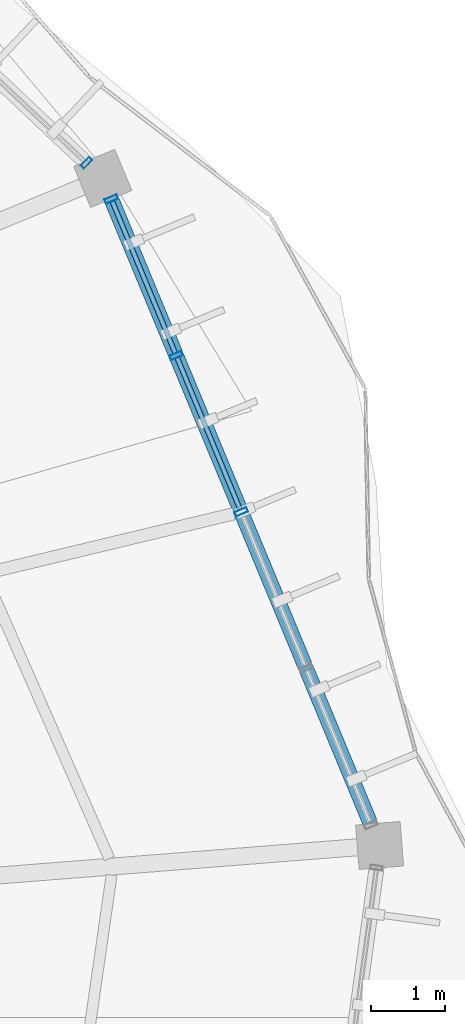
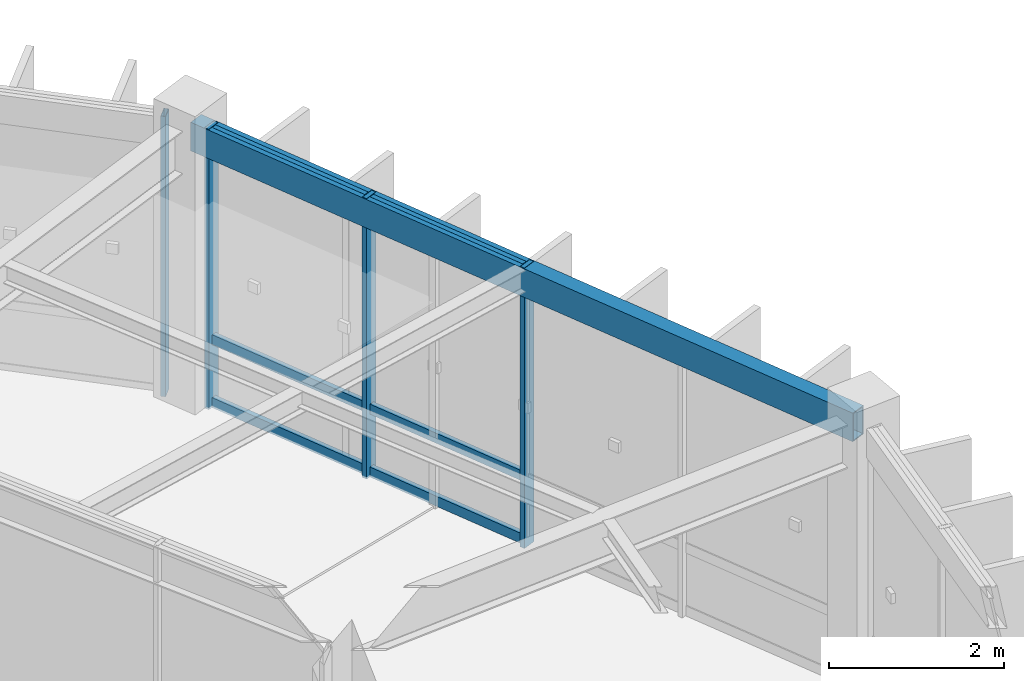
# One storey, part 60 of 83: 10 members, 1 beam, 2 elements without a shape of their own.
"""IFC4 building model written with IfcOpenShell, lengths in metres."""

from ifc_helpers import new_model, si_unit, direction, frame, origin, origin_2d, place, context, subcontext, project, spatial, hollow_rectangle, extrude, material, material_profile, profile_set, type_object, element, aggregate, save


model = new_model("IFC4")

# Units and contexts
model_context = context("Model", 3, precision=1e-05, world=origin(), true_north=direction((0.0, 1.0)))
body_context = subcontext(model_context, "Body", "Model", "MODEL_VIEW")
ifc_project = project(units=[si_unit("LENGTHUNIT", "METRE"), si_unit("AREAUNIT", "SQUARE_METRE"), si_unit("VOLUMEUNIT", "CUBIC_METRE"), si_unit("PLANEANGLEUNIT", "RADIAN"), si_unit("MASSUNIT", "GRAM", prefix="KILO"), si_unit("THERMODYNAMICTEMPERATUREUNIT", "KELVIN"), si_unit("POWERUNIT", "WATT")], contexts=[model_context])

# Site, building, storey
site_placement = place(None, origin())
site = spatial("IfcSite", under=ifc_project, at=site_placement, CompositionType="ELEMENT")
building_placement = place(site_placement, origin())
building = spatial("IfcBuilding", under=site, at=building_placement, Name="Darbajah Civic Hall", CompositionType="ELEMENT")
storey_placement = place(building_placement, frame((0.0, 0.0, 18.0)))
storey = spatial("IfcBuildingStorey", under=building, at=storey_placement, Name="L04", CompositionType="ELEMENT", Elevation=18.0)

# Curtain wall, member
ifc_material_1 = material(Name="Anodised Bronze Aluminium and Low-E Glazing", Category="aluminium")
curtain_wall_type_1 = type_object("IfcCurtainWallType", Name="Unitised Curtain Wall CW-63 10900x3900", PredefinedType="USERDEFINED", material=ifc_material_1)
curtain_wall_1_placement = place(storey_placement, origin())
curtain_wall_1 = element("IfcCurtainWall", 1, at=curtain_wall_1_placement, inside=storey, type_object=curtain_wall_type_1, Name="L04 unitised curtain wall CW-V1O-L04-01", ObjectType="UNITISED CURTAIN WALL", PredefinedType="USERDEFINED")
ifc_material_2 = material(Name="Anodised Bronze Aluminium", Category="aluminium")
ifc_material_profile_1 = material_profile(ifc_material_2, hollow_rectangle(XDim=0.06005859375, YDim=0.159912109375, WallThickness=0.00341796875, at=origin_2d()), Name="ALU MULLION 60x160")
ifc_profile_set_1 = profile_set([ifc_material_profile_1], Name="Anodised Bronze Aluminium")
member_type_1 = type_object("IfcMemberType", Name="ALU MULLION 60x160", PredefinedType="MULLION", material=ifc_profile_set_1)
member_1_placement = place(storey_placement, frame((135.998291015625, 101.29638671875, 0.0), z_axis=(0.0, 0.0, 1.0), x_axis=(-0.727173991201, 0.686453193248, 0.0)))
member_1 = element("IfcMember", 2, at=member_1_placement, type_object=member_type_1, Name="CW-V1O-L04-01 mullion 1", PredefinedType="MULLION", context=body_context, shape_type="SweptSolid", body=[
    extrude(hollow_rectangle(XDim=0.06005859375, YDim=0.159912109375, WallThickness=0.00341796875, at=origin_2d()), origin(), (0.0, 0.0, 1.0), 3.919921875),
])
aggregate(curtain_wall_1, [member_1])

# Curtain wall, members
curtain_wall_type_2 = type_object("IfcCurtainWallType", Name="Unitised Curtain Wall CW-54 9100x3900", PredefinedType="USERDEFINED", material=ifc_material_1)
curtain_wall_2_placement = place(storey_placement, origin())
curtain_wall_2 = element("IfcCurtainWall", 3, at=curtain_wall_2_placement, inside=storey, type_object=curtain_wall_type_2, Name="L04 unitised curtain wall CW-V1O-L04-00", ObjectType="UNITISED CURTAIN WALL", PredefinedType="USERDEFINED")
ifc_material_profile_2 = material_profile(ifc_material_2, hollow_rectangle(XDim=0.06494140625, YDim=0.179931640625, WallThickness=0.00390625, at=origin_2d()), Name="ALU MULLION 65x180")
ifc_profile_set_2 = profile_set([ifc_material_profile_2], Name="Anodised Bronze Aluminium")
member_type_2 = type_object("IfcMemberType", Name="ALU MULLION 65x180", PredefinedType="MULLION", material=ifc_profile_set_2)
member_2_placement = place(storey_placement, frame((138.080322265625, 96.601806640625, 0.0), z_axis=(0.0, 0.0, 1.0), x_axis=(-0.383328328644, 0.923612143954, 0.0)))
member_2 = element("IfcMember", 4, at=member_2_placement, type_object=member_type_2, Name="CW-V1O-L04-00 mullion 3", PredefinedType="MULLION", context=body_context, shape_type="SweptSolid", body=[
    extrude(hollow_rectangle(XDim=0.06494140625, YDim=0.179931640625, WallThickness=0.00390625, at=origin_2d()), origin(), (0.0, 0.0, 1.0), 3.919921875),
])
member_3_placement = place(storey_placement, frame((137.20703125, 98.7060546875, 0.0), z_axis=(0.0, 0.0, 1.0), x_axis=(-0.383328328644, 0.923612143954, 0.0)))
member_3 = element("IfcMember", 5, at=member_3_placement, type_object=member_type_2, Name="CW-V1O-L04-00 mullion 4", PredefinedType="MULLION", context=body_context, shape_type="SweptSolid", body=[
    extrude(hollow_rectangle(XDim=0.06494140625, YDim=0.179931640625, WallThickness=0.00390625, at=origin_2d()), origin(), (0.0, 0.0, 1.0), 3.919921875),
])
member_4_placement = place(storey_placement, frame((136.333740234375, 100.810302734375, 0.0), z_axis=(0.0, 0.0, 1.0), x_axis=(-0.383328328644, 0.923612143954, 0.0)))
member_4 = element("IfcMember", 6, at=member_4_placement, type_object=member_type_2, Name="CW-V1O-L04-00 mullion 5", PredefinedType="MULLION", context=body_context, shape_type="SweptSolid", body=[
    extrude(hollow_rectangle(XDim=0.06494140625, YDim=0.179931640625, WallThickness=0.00390625, at=origin_2d()), origin(), (0.0, 0.0, 1.0), 3.919921875),
])
ifc_material_profile_3 = material_profile(ifc_material_2, hollow_rectangle(XDim=0.06494140625, YDim=0.139892578125, WallThickness=0.00341796875, at=origin_2d()), Name="ALU TRANSOM 65x140")
ifc_profile_set_3 = profile_set([ifc_material_profile_3], Name="Anodised Bronze Aluminium")
member_type_3 = type_object("IfcMemberType", Name="ALU TRANSOM 65x140", PredefinedType="USERDEFINED", material=ifc_profile_set_3)
member_5_placement = place(storey_placement, frame((138.06591796875, 96.636474609375, 0.070068359375), z_axis=(-0.383300979751, 0.923623494137, 0.0), x_axis=(-0.923623494137, -0.383300979751, 0.0)))
member_5 = element("IfcMember", 7, at=member_5_placement, type_object=member_type_3, Name="CW-V1O-L04-00 transom 3.1", ObjectType="TRANSOM", PredefinedType="USERDEFINED", context=body_context, shape_type="SweptSolid", body=[
    extrude(hollow_rectangle(XDim=0.06494140625, YDim=0.139892578125, WallThickness=0.00341796875, at=origin_2d()), origin(), (0.0, 0.0, 1.0), 2.203125),
])
member_6_placement = place(storey_placement, frame((138.06591796875, 96.636474609375, 0.949951171875), z_axis=(-0.383300979751, 0.923623494137, 0.0), x_axis=(-0.923623494137, -0.383300979751, 0.0)))
member_6 = element("IfcMember", 8, at=member_6_placement, type_object=member_type_3, Name="CW-V1O-L04-00 transom 3.2", ObjectType="TRANSOM", PredefinedType="USERDEFINED", context=body_context, shape_type="SweptSolid", body=[
    extrude(hollow_rectangle(XDim=0.06494140625, YDim=0.139892578125, WallThickness=0.00341796875, at=origin_2d()), origin(), (0.0, 0.0, 1.0), 2.203125),
])
member_7_placement = place(storey_placement, frame((138.06591796875, 96.636474609375, 3.85009765625), z_axis=(-0.383300979751, 0.923623494137, 0.0), x_axis=(-0.923623494137, -0.383300979751, 0.0)))
member_7 = element("IfcMember", 9, at=member_7_placement, type_object=member_type_3, Name="CW-V1O-L04-00 transom 3.3", ObjectType="TRANSOM", PredefinedType="USERDEFINED", context=body_context, shape_type="SweptSolid", body=[
    extrude(hollow_rectangle(XDim=0.06494140625, YDim=0.139892578125, WallThickness=0.00341796875, at=origin_2d()), origin(), (0.0, 0.0, 1.0), 2.203125),
])
member_8_placement = place(storey_placement, frame((137.192626953125, 98.74072265625, 0.070068359375), z_axis=(-0.383300979751, 0.923623494137, 0.0), x_axis=(-0.923623494137, -0.383300979751, 0.0)))
member_8 = element("IfcMember", 10, at=member_8_placement, type_object=member_type_3, Name="CW-V1O-L04-00 transom 4.1", ObjectType="TRANSOM", PredefinedType="USERDEFINED", context=body_context, shape_type="SweptSolid", body=[
    extrude(hollow_rectangle(XDim=0.06494140625, YDim=0.139892578125, WallThickness=0.00341796875, at=origin_2d()), origin(), (0.0, 0.0, 1.0), 2.203125),
])
member_9_placement = place(storey_placement, frame((137.192626953125, 98.74072265625, 0.949951171875), z_axis=(-0.383300979751, 0.923623494137, 0.0), x_axis=(-0.923623494137, -0.383300979751, 0.0)))
member_9 = element("IfcMember", 11, at=member_9_placement, type_object=member_type_3, Name="CW-V1O-L04-00 transom 4.2", ObjectType="TRANSOM", PredefinedType="USERDEFINED", context=body_context, shape_type="SweptSolid", body=[
    extrude(hollow_rectangle(XDim=0.06494140625, YDim=0.139892578125, WallThickness=0.00341796875, at=origin_2d()), origin(), (0.0, 0.0, 1.0), 2.203125),
])
member_10_placement = place(storey_placement, frame((137.192626953125, 98.74072265625, 3.85009765625), z_axis=(-0.383300979751, 0.923623494137, 0.0), x_axis=(-0.923623494137, -0.383300979751, 0.0)))
member_10 = element("IfcMember", 12, at=member_10_placement, type_object=member_type_3, Name="CW-V1O-L04-00 transom 4.3", ObjectType="TRANSOM", PredefinedType="USERDEFINED", context=body_context, shape_type="SweptSolid", body=[
    extrude(hollow_rectangle(XDim=0.06494140625, YDim=0.139892578125, WallThickness=0.00341796875, at=origin_2d()), origin(), (0.0, 0.0, 1.0), 2.203125),
])
aggregate(curtain_wall_2, [member_2, member_3, member_4, member_5, member_6, member_7, member_8, member_9, member_10])

# Beam
ifc_material_3 = material(Name="Steel S355JR", Category="steel")
ifc_material_profile_4 = material_profile(ifc_material_3, hollow_rectangle(XDim=0.199951171875, YDim=0.39990234375, WallThickness=0.013916015625, at=origin_2d()), Name="RHS 400x200x14")
ifc_profile_set_4 = profile_set([ifc_material_profile_4], Name="Steel S355JR")
beam_type = type_object("IfcBeamType", Name="RHS 400x200x14", PredefinedType="SPANDREL", material=ifc_profile_set_4)
beam_placement = place(storey_placement, frame((139.912109375, 92.1884765625, 3.719970703125), z_axis=(-0.38333984527, 0.923607364104, 0.0), x_axis=(-0.923607364104, -0.38333984527, 0.0)))
element("IfcBeam", 13, at=beam_placement, inside=storey, type_object=beam_type, Name="L04 beam SP-RHS400", PredefinedType="SPANDREL", context=body_context, shape_type="SweptSolid", body=[
    extrude(hollow_rectangle(XDim=0.199951171875, YDim=0.39990234375, WallThickness=0.013916015625, at=origin_2d()), origin(), (0.0, 0.0, 1.0), 9.556884765625),
])

save(model, "model.ifc")
